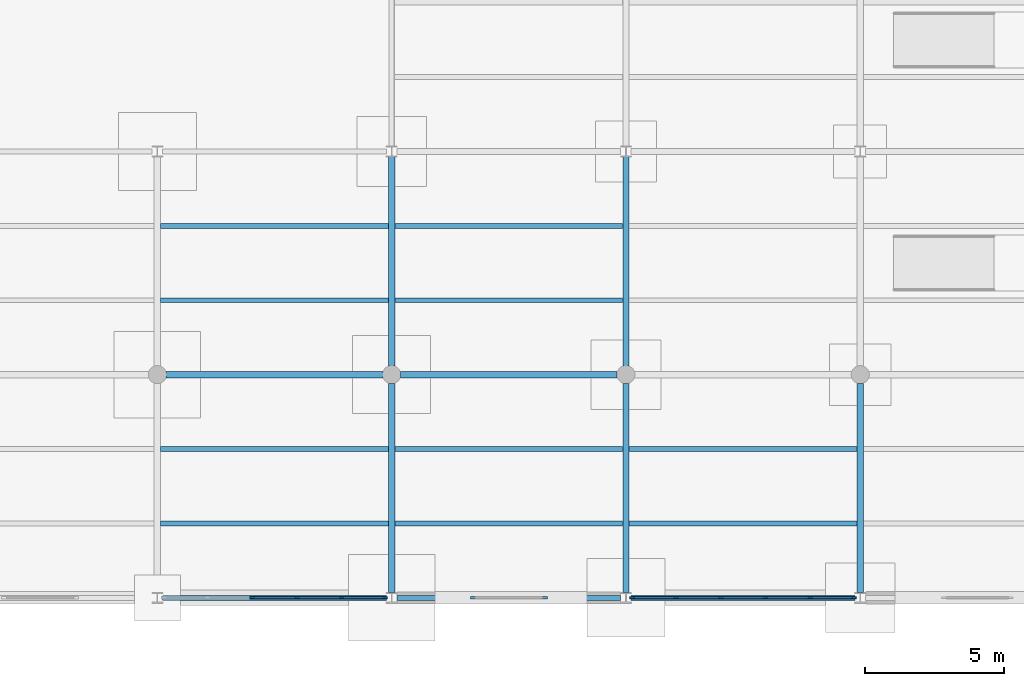
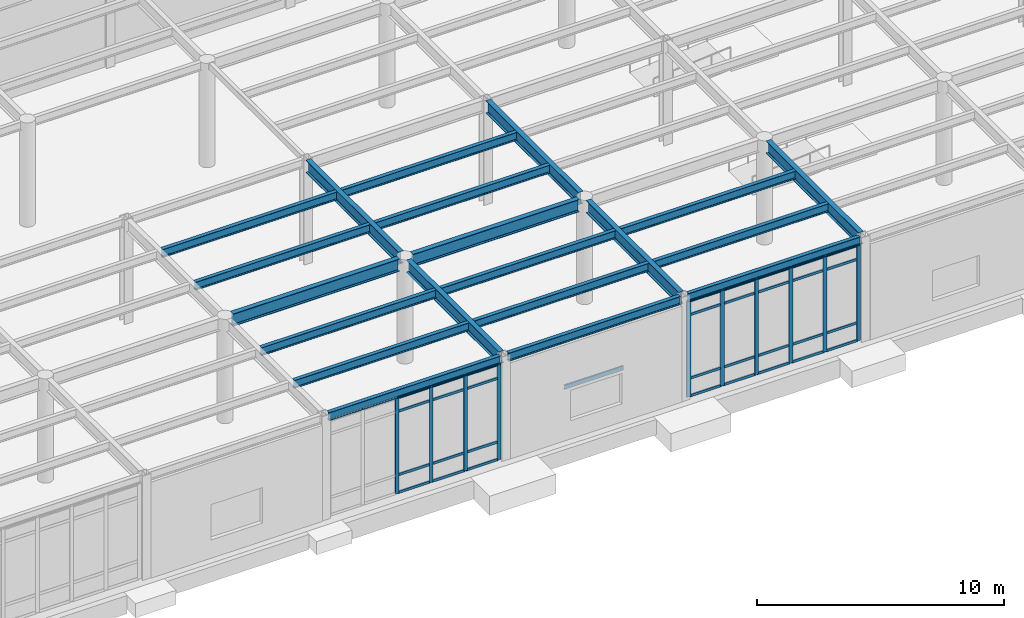
# One storey, part 34 of 138: 42 members, 21 beams, 2 elements without a shape of their own.
"""IFC4 building model written with IfcOpenShell, lengths in metres."""

from ifc_helpers import new_model, si_unit, direction, frame, origin, origin_2d, place, context, subcontext, project, spatial, rectangle, i_section, u_section, extrude, material, layer, layer_set, material_profile, profile_set, type_object, element, aggregate, save


model = new_model("IFC4")

# Units and contexts
model_context = context("Model", 3, precision=1e-05, world=origin(), true_north=direction((0.0, 1.0)))
body_context = subcontext(model_context, "Body", "Model", "MODEL_VIEW")
ifc_project = project(units=[si_unit("LENGTHUNIT", "METRE"), si_unit("AREAUNIT", "SQUARE_METRE"), si_unit("VOLUMEUNIT", "CUBIC_METRE"), si_unit("PLANEANGLEUNIT", "RADIAN"), si_unit("MASSUNIT", "GRAM", prefix="KILO")], contexts=[model_context])

# Site, building, storey
site_placement = place(None, origin())
site = spatial("IfcSite", under=ifc_project, at=site_placement, CompositionType="ELEMENT")
building_placement = place(site_placement, origin())
building = spatial("IfcBuilding", under=site, at=building_placement, Name="Kranzveld Transit Interchange", CompositionType="ELEMENT")
storey_placement = place(building_placement, origin())
storey = spatial("IfcBuildingStorey", under=building, at=storey_placement, Name="L00", CompositionType="ELEMENT", Elevation=0.0)

# Curtain wall, members
ifc_material_1 = material(Name="Bronze-anodised thermally broken aluminium", Category="aluminium")
ifc_layer_1 = layer(ifc_material_1, 0.155029296875)
ifc_layer_set_1 = layer_set([ifc_layer_1], Name="Bronze-anodised thermally broken aluminium")
curtain_wall_type_1 = type_object("IfcCurtainWallType", Name="Operations Courtyard Glazed Screen CW-6", PredefinedType="USERDEFINED", material=ifc_layer_set_1)
curtain_wall_1_placement = place(storey_placement, origin())
curtain_wall_1 = element("IfcCurtainWall", 1, at=curtain_wall_1_placement, inside=storey, type_object=curtain_wall_type_1, Name="L00 Curtain Wall 12/A-13/A", ObjectType="CURTAIN WALL", PredefinedType="USERDEFINED")
ifc_material_2 = material(Name="Bronze-anodised thermally broken aluminium", Category="aluminium")
ifc_material_profile_1 = material_profile(ifc_material_2, rectangle(XDim=0.06494140625, YDim=0.1650390625, at=origin_2d()), Name="ALU MULLION 65x165")
ifc_profile_set_1 = profile_set([ifc_material_profile_1], Name="Bronze-anodised thermally broken aluminium")
member_type_1 = type_object("IfcMemberType", Name="Curtain Wall Mullion 65x165 Alu", PredefinedType="MULLION", material=ifc_profile_set_1)
member_1_placement = place(storey_placement, frame((95.7998046875, 0.0, 0.0), z_axis=(0.0, 0.0, 1.0), x_axis=(0.0, 1.0, 0.0)))
member_1 = element("IfcMember", 2, at=member_1_placement, type_object=member_type_1, Name="CW-6 mullion 3", PredefinedType="MULLION", context=body_context, shape_type="SweptSolid", body=[
    extrude(rectangle(XDim=0.06494140625, YDim=0.1650390625, at=origin_2d()), origin(), (0.0, 0.0, 1.0), 4.740478515625),
])
member_2_placement = place(storey_placement, frame((97.400146484375, 0.0, 0.0), z_axis=(0.0, 0.0, 1.0), x_axis=(0.0, 1.0, 0.0)))
member_2 = element("IfcMember", 3, at=member_2_placement, type_object=member_type_1, Name="CW-6 mullion 4", PredefinedType="MULLION", context=body_context, shape_type="SweptSolid", body=[
    extrude(rectangle(XDim=0.06494140625, YDim=0.1650390625, at=origin_2d()), origin(), (0.0, 0.0, 1.0), 4.740478515625),
])
member_3_placement = place(storey_placement, frame((99.000244140625, 0.0, 0.0), z_axis=(0.0, 0.0, 1.0), x_axis=(0.0, 1.0, 0.0)))
member_3 = element("IfcMember", 4, at=member_3_placement, type_object=member_type_1, Name="CW-6 mullion 5", PredefinedType="MULLION", context=body_context, shape_type="SweptSolid", body=[
    extrude(rectangle(XDim=0.06494140625, YDim=0.1650390625, at=origin_2d()), origin(), (0.0, 0.0, 1.0), 4.740478515625),
])
member_4_placement = place(storey_placement, frame((100.568115234375, 0.0, 0.0), z_axis=(0.0, 0.0, 1.0), x_axis=(0.0, 1.0, 0.0)))
member_4 = element("IfcMember", 5, at=member_4_placement, type_object=member_type_1, Name="CW-6 mullion 6", PredefinedType="MULLION", context=body_context, shape_type="SweptSolid", body=[
    extrude(rectangle(XDim=0.06494140625, YDim=0.1650390625, at=origin_2d()), origin(), (0.0, 0.0, 1.0), 4.740478515625),
])

ifc_material_3 = material(Name="Bronze-anodised thermally broken aluminium", Category="aluminium")
ifc_layer_2 = layer(ifc_material_3, 0.1650390625)
ifc_layer_set_2 = layer_set([ifc_layer_2], Name="Bronze-anodised thermally broken aluminium")
curtain_wall_type_2 = type_object("IfcCurtainWallType", Name="Sunny Court Arcade Curtain Wall CW-2", PredefinedType="USERDEFINED", material=ifc_layer_set_2)
curtain_wall_2_placement = place(storey_placement, origin())
curtain_wall_2 = element("IfcCurtainWall", 6, at=curtain_wall_2_placement, inside=storey, type_object=curtain_wall_type_2, Name="L00 Curtain Wall 14/A-15/A", ObjectType="CURTAIN WALL", PredefinedType="USERDEFINED")
ifc_material_4 = material(Name="Bronze-anodised thermally broken aluminium", Category="aluminium")
ifc_material_profile_2 = material_profile(ifc_material_4, rectangle(XDim=0.06494140625, YDim=0.179931640625, at=origin_2d()), Name="ALU MULLION 65x180")
ifc_profile_set_2 = profile_set([ifc_material_profile_2], Name="Bronze-anodised thermally broken aluminium")
member_type_2 = type_object("IfcMemberType", Name="Curtain Wall Mullion 65x180 Alu", PredefinedType="MULLION", material=ifc_profile_set_2)
member_5_placement = place(storey_placement, frame((109.431884765625, 0.0, 0.0), z_axis=(0.0, 0.0, 1.0), x_axis=(0.0, 1.0, 0.0)))
member_5 = element("IfcMember", 7, at=member_5_placement, type_object=member_type_2, Name="CW-2 mullion 1", PredefinedType="MULLION", context=body_context, shape_type="SweptSolid", body=[
    extrude(rectangle(XDim=0.06494140625, YDim=0.179931640625, at=origin_2d()), origin(), (0.0, 0.0, 1.0), 4.740478515625),
])
member_6_placement = place(storey_placement, frame((110.999755859375, 0.0, 0.0), z_axis=(0.0, 0.0, 1.0), x_axis=(0.0, 1.0, 0.0)))
member_6 = element("IfcMember", 8, at=member_6_placement, type_object=member_type_2, Name="CW-2 mullion 2", PredefinedType="MULLION", context=body_context, shape_type="SweptSolid", body=[
    extrude(rectangle(XDim=0.06494140625, YDim=0.179931640625, at=origin_2d()), origin(), (0.0, 0.0, 1.0), 4.740478515625),
])
member_7_placement = place(storey_placement, frame((112.599853515625, 0.0, 0.0), z_axis=(0.0, 0.0, 1.0), x_axis=(0.0, 1.0, 0.0)))
member_7 = element("IfcMember", 9, at=member_7_placement, type_object=member_type_2, Name="CW-2 mullion 3", PredefinedType="MULLION", context=body_context, shape_type="SweptSolid", body=[
    extrude(rectangle(XDim=0.06494140625, YDim=0.179931640625, at=origin_2d()), origin(), (0.0, 0.0, 1.0), 4.740478515625),
])
member_8_placement = place(storey_placement, frame((114.2001953125, 0.0, 0.0), z_axis=(0.0, 0.0, 1.0), x_axis=(0.0, 1.0, 0.0)))
member_8 = element("IfcMember", 10, at=member_8_placement, type_object=member_type_2, Name="CW-2 mullion 4", PredefinedType="MULLION", context=body_context, shape_type="SweptSolid", body=[
    extrude(rectangle(XDim=0.06494140625, YDim=0.179931640625, at=origin_2d()), origin(), (0.0, 0.0, 1.0), 4.740478515625),
])
member_9_placement = place(storey_placement, frame((115.80029296875, 0.0, 0.0), z_axis=(0.0, 0.0, 1.0), x_axis=(0.0, 1.0, 0.0)))
member_9 = element("IfcMember", 11, at=member_9_placement, type_object=member_type_2, Name="CW-2 mullion 5", PredefinedType="MULLION", context=body_context, shape_type="SweptSolid", body=[
    extrude(rectangle(XDim=0.06494140625, YDim=0.179931640625, at=origin_2d()), origin(), (0.0, 0.0, 1.0), 4.740478515625),
])
member_10_placement = place(storey_placement, frame((117.367919921875, 0.0, 0.0), z_axis=(0.0, 0.0, 1.0), x_axis=(0.0, 1.0, 0.0)))
member_10 = element("IfcMember", 12, at=member_10_placement, type_object=member_type_2, Name="CW-2 mullion 6", PredefinedType="MULLION", context=body_context, shape_type="SweptSolid", body=[
    extrude(rectangle(XDim=0.06494140625, YDim=0.179931640625, at=origin_2d()), origin(), (0.0, 0.0, 1.0), 4.740478515625),
])

# Member
ifc_material_5 = material(Name="Bronze-anodised thermally broken aluminium", Category="aluminium")
ifc_material_profile_3 = material_profile(ifc_material_5, rectangle(XDim=0.06005859375, YDim=0.125, at=origin_2d()), Name="ALU TRANSOM 60x125")
ifc_profile_set_3 = profile_set([ifc_material_profile_3], Name="Bronze-anodised thermally broken aluminium")
member_type_3 = type_object("IfcMemberType", Name="Curtain Wall Transom 60x125 Alu", PredefinedType="USERDEFINED", material=ifc_profile_set_3)
member_11_placement = place(storey_placement, frame((95.83251953125, 0.0, 0.030029296875), z_axis=(1.0, 0.0, 0.0), x_axis=(0.0, 1.0, 0.0)))
member_11 = element("IfcMember", 13, at=member_11_placement, type_object=member_type_3, Name="CW-6 transom 3.1", ObjectType="TRANSOM", PredefinedType="USERDEFINED", context=body_context, shape_type="SweptSolid", body=[
    extrude(rectangle(XDim=0.06005859375, YDim=0.125, at=origin_2d()), origin(), (0.0, 0.0, 1.0), 1.53515625),
])

member_12_placement = place(storey_placement, frame((95.83251953125, 0.0, 0.89990234375), z_axis=(1.0, 0.0, 0.0), x_axis=(0.0, 1.0, 0.0)))
member_12 = element("IfcMember", 14, at=member_12_placement, type_object=member_type_3, Name="CW-6 transom 3.2", ObjectType="TRANSOM", PredefinedType="USERDEFINED", context=body_context, shape_type="SweptSolid", body=[
    extrude(rectangle(XDim=0.06005859375, YDim=0.125, at=origin_2d()), origin(), (0.0, 0.0, 1.0), 1.53515625),
])

member_13_placement = place(storey_placement, frame((95.83251953125, 0.0, 4.04052734375), z_axis=(1.0, 0.0, 0.0), x_axis=(0.0, 1.0, 0.0)))
member_13 = element("IfcMember", 15, at=member_13_placement, type_object=member_type_3, Name="CW-6 transom 3.3", ObjectType="TRANSOM", PredefinedType="USERDEFINED", context=body_context, shape_type="SweptSolid", body=[
    extrude(rectangle(XDim=0.06005859375, YDim=0.125, at=origin_2d()), origin(), (0.0, 0.0, 1.0), 1.53515625),
])

member_14_placement = place(storey_placement, frame((95.83251953125, 0.0, 4.710693359375), z_axis=(1.0, 0.0, 0.0), x_axis=(0.0, 1.0, 0.0)))
member_14 = element("IfcMember", 16, at=member_14_placement, type_object=member_type_3, Name="CW-6 transom 3.4", ObjectType="TRANSOM", PredefinedType="USERDEFINED", context=body_context, shape_type="SweptSolid", body=[
    extrude(rectangle(XDim=0.06005859375, YDim=0.125, at=origin_2d()), origin(), (0.0, 0.0, 1.0), 1.53515625),
])

member_15_placement = place(storey_placement, frame((97.4326171875, 0.0, 0.030029296875), z_axis=(1.0, 0.0, 0.0), x_axis=(0.0, 1.0, 0.0)))
member_15 = element("IfcMember", 17, at=member_15_placement, type_object=member_type_3, Name="CW-6 transom 4.1", ObjectType="TRANSOM", PredefinedType="USERDEFINED", context=body_context, shape_type="SweptSolid", body=[
    extrude(rectangle(XDim=0.06005859375, YDim=0.125, at=origin_2d()), origin(), (0.0, 0.0, 1.0), 1.53515625),
])

member_16_placement = place(storey_placement, frame((97.4326171875, 0.0, 0.89990234375), z_axis=(1.0, 0.0, 0.0), x_axis=(0.0, 1.0, 0.0)))
member_16 = element("IfcMember", 18, at=member_16_placement, type_object=member_type_3, Name="CW-6 transom 4.2", ObjectType="TRANSOM", PredefinedType="USERDEFINED", context=body_context, shape_type="SweptSolid", body=[
    extrude(rectangle(XDim=0.06005859375, YDim=0.125, at=origin_2d()), origin(), (0.0, 0.0, 1.0), 1.53515625),
])

member_17_placement = place(storey_placement, frame((97.4326171875, 0.0, 4.04052734375), z_axis=(1.0, 0.0, 0.0), x_axis=(0.0, 1.0, 0.0)))
member_17 = element("IfcMember", 19, at=member_17_placement, type_object=member_type_3, Name="CW-6 transom 4.3", ObjectType="TRANSOM", PredefinedType="USERDEFINED", context=body_context, shape_type="SweptSolid", body=[
    extrude(rectangle(XDim=0.06005859375, YDim=0.125, at=origin_2d()), origin(), (0.0, 0.0, 1.0), 1.53515625),
])

member_18_placement = place(storey_placement, frame((97.4326171875, 0.0, 4.710693359375), z_axis=(1.0, 0.0, 0.0), x_axis=(0.0, 1.0, 0.0)))
member_18 = element("IfcMember", 20, at=member_18_placement, type_object=member_type_3, Name="CW-6 transom 4.4", ObjectType="TRANSOM", PredefinedType="USERDEFINED", context=body_context, shape_type="SweptSolid", body=[
    extrude(rectangle(XDim=0.06005859375, YDim=0.125, at=origin_2d()), origin(), (0.0, 0.0, 1.0), 1.53515625),
])

member_19_placement = place(storey_placement, frame((99.03271484375, 0.0, 0.030029296875), z_axis=(1.0, 0.0, 0.0), x_axis=(0.0, 1.0, 0.0)))
member_19 = element("IfcMember", 21, at=member_19_placement, type_object=member_type_3, Name="CW-6 transom 5.1", ObjectType="TRANSOM", PredefinedType="USERDEFINED", context=body_context, shape_type="SweptSolid", body=[
    extrude(rectangle(XDim=0.06005859375, YDim=0.125, at=origin_2d()), origin(), (0.0, 0.0, 1.0), 1.502685546875),
])

member_20_placement = place(storey_placement, frame((99.03271484375, 0.0, 0.89990234375), z_axis=(1.0, 0.0, 0.0), x_axis=(0.0, 1.0, 0.0)))
member_20 = element("IfcMember", 22, at=member_20_placement, type_object=member_type_3, Name="CW-6 transom 5.2", ObjectType="TRANSOM", PredefinedType="USERDEFINED", context=body_context, shape_type="SweptSolid", body=[
    extrude(rectangle(XDim=0.06005859375, YDim=0.125, at=origin_2d()), origin(), (0.0, 0.0, 1.0), 1.502685546875),
])

member_21_placement = place(storey_placement, frame((99.03271484375, 0.0, 4.04052734375), z_axis=(1.0, 0.0, 0.0), x_axis=(0.0, 1.0, 0.0)))
member_21 = element("IfcMember", 23, at=member_21_placement, type_object=member_type_3, Name="CW-6 transom 5.3", ObjectType="TRANSOM", PredefinedType="USERDEFINED", context=body_context, shape_type="SweptSolid", body=[
    extrude(rectangle(XDim=0.06005859375, YDim=0.125, at=origin_2d()), origin(), (0.0, 0.0, 1.0), 1.502685546875),
])

member_22_placement = place(storey_placement, frame((99.03271484375, 0.0, 4.710693359375), z_axis=(1.0, 0.0, 0.0), x_axis=(0.0, 1.0, 0.0)))
member_22 = element("IfcMember", 24, at=member_22_placement, type_object=member_type_3, Name="CW-6 transom 5.4", ObjectType="TRANSOM", PredefinedType="USERDEFINED", context=body_context, shape_type="SweptSolid", body=[
    extrude(rectangle(XDim=0.06005859375, YDim=0.125, at=origin_2d()), origin(), (0.0, 0.0, 1.0), 1.502685546875),
])

aggregate(curtain_wall_1, [member_1, member_2, member_3, member_4, member_11, member_12, member_13, member_14, member_15, member_16, member_17, member_18, member_19, member_20, member_21, member_22])

member_23_placement = place(storey_placement, frame((109.464599609375, 0.0, 0.030029296875), z_axis=(1.0, 0.0, 0.0), x_axis=(0.0, 1.0, 0.0)))
member_23 = element("IfcMember", 25, at=member_23_placement, type_object=member_type_3, Name="CW-2 transom 1.1", ObjectType="TRANSOM", PredefinedType="USERDEFINED", context=body_context, shape_type="SweptSolid", body=[
    extrude(rectangle(XDim=0.06005859375, YDim=0.125, at=origin_2d()), origin(), (0.0, 0.0, 1.0), 1.502685546875),
])

member_24_placement = place(storey_placement, frame((109.464599609375, 0.0, 0.89990234375), z_axis=(1.0, 0.0, 0.0), x_axis=(0.0, 1.0, 0.0)))
member_24 = element("IfcMember", 26, at=member_24_placement, type_object=member_type_3, Name="CW-2 transom 1.2", ObjectType="TRANSOM", PredefinedType="USERDEFINED", context=body_context, shape_type="SweptSolid", body=[
    extrude(rectangle(XDim=0.06005859375, YDim=0.125, at=origin_2d()), origin(), (0.0, 0.0, 1.0), 1.502685546875),
])

member_25_placement = place(storey_placement, frame((109.464599609375, 0.0, 4.04052734375), z_axis=(1.0, 0.0, 0.0), x_axis=(0.0, 1.0, 0.0)))
member_25 = element("IfcMember", 27, at=member_25_placement, type_object=member_type_3, Name="CW-2 transom 1.3", ObjectType="TRANSOM", PredefinedType="USERDEFINED", context=body_context, shape_type="SweptSolid", body=[
    extrude(rectangle(XDim=0.06005859375, YDim=0.125, at=origin_2d()), origin(), (0.0, 0.0, 1.0), 1.502685546875),
])

member_26_placement = place(storey_placement, frame((109.464599609375, 0.0, 4.710693359375), z_axis=(1.0, 0.0, 0.0), x_axis=(0.0, 1.0, 0.0)))
member_26 = element("IfcMember", 28, at=member_26_placement, type_object=member_type_3, Name="CW-2 transom 1.4", ObjectType="TRANSOM", PredefinedType="USERDEFINED", context=body_context, shape_type="SweptSolid", body=[
    extrude(rectangle(XDim=0.06005859375, YDim=0.125, at=origin_2d()), origin(), (0.0, 0.0, 1.0), 1.502685546875),
])

member_27_placement = place(storey_placement, frame((111.0322265625, 0.0, 0.030029296875), z_axis=(1.0, 0.0, 0.0), x_axis=(0.0, 1.0, 0.0)))
member_27 = element("IfcMember", 29, at=member_27_placement, type_object=member_type_3, Name="CW-2 transom 2.1", ObjectType="TRANSOM", PredefinedType="USERDEFINED", context=body_context, shape_type="SweptSolid", body=[
    extrude(rectangle(XDim=0.06005859375, YDim=0.125, at=origin_2d()), origin(), (0.0, 0.0, 1.0), 1.53515625),
])

member_28_placement = place(storey_placement, frame((111.0322265625, 0.0, 0.89990234375), z_axis=(1.0, 0.0, 0.0), x_axis=(0.0, 1.0, 0.0)))
member_28 = element("IfcMember", 30, at=member_28_placement, type_object=member_type_3, Name="CW-2 transom 2.2", ObjectType="TRANSOM", PredefinedType="USERDEFINED", context=body_context, shape_type="SweptSolid", body=[
    extrude(rectangle(XDim=0.06005859375, YDim=0.125, at=origin_2d()), origin(), (0.0, 0.0, 1.0), 1.53515625),
])

member_29_placement = place(storey_placement, frame((111.0322265625, 0.0, 4.04052734375), z_axis=(1.0, 0.0, 0.0), x_axis=(0.0, 1.0, 0.0)))
member_29 = element("IfcMember", 31, at=member_29_placement, type_object=member_type_3, Name="CW-2 transom 2.3", ObjectType="TRANSOM", PredefinedType="USERDEFINED", context=body_context, shape_type="SweptSolid", body=[
    extrude(rectangle(XDim=0.06005859375, YDim=0.125, at=origin_2d()), origin(), (0.0, 0.0, 1.0), 1.53515625),
])

member_30_placement = place(storey_placement, frame((111.0322265625, 0.0, 4.710693359375), z_axis=(1.0, 0.0, 0.0), x_axis=(0.0, 1.0, 0.0)))
member_30 = element("IfcMember", 32, at=member_30_placement, type_object=member_type_3, Name="CW-2 transom 2.4", ObjectType="TRANSOM", PredefinedType="USERDEFINED", context=body_context, shape_type="SweptSolid", body=[
    extrude(rectangle(XDim=0.06005859375, YDim=0.125, at=origin_2d()), origin(), (0.0, 0.0, 1.0), 1.53515625),
])

member_31_placement = place(storey_placement, frame((112.63232421875, 0.0, 0.030029296875), z_axis=(1.0, 0.0, 0.0), x_axis=(0.0, 1.0, 0.0)))
member_31 = element("IfcMember", 33, at=member_31_placement, type_object=member_type_3, Name="CW-2 transom 3.1", ObjectType="TRANSOM", PredefinedType="USERDEFINED", context=body_context, shape_type="SweptSolid", body=[
    extrude(rectangle(XDim=0.06005859375, YDim=0.125, at=origin_2d()), origin(), (0.0, 0.0, 1.0), 1.53515625),
])

member_32_placement = place(storey_placement, frame((112.63232421875, 0.0, 0.89990234375), z_axis=(1.0, 0.0, 0.0), x_axis=(0.0, 1.0, 0.0)))
member_32 = element("IfcMember", 34, at=member_32_placement, type_object=member_type_3, Name="CW-2 transom 3.2", ObjectType="TRANSOM", PredefinedType="USERDEFINED", context=body_context, shape_type="SweptSolid", body=[
    extrude(rectangle(XDim=0.06005859375, YDim=0.125, at=origin_2d()), origin(), (0.0, 0.0, 1.0), 1.53515625),
])

member_33_placement = place(storey_placement, frame((112.63232421875, 0.0, 4.04052734375), z_axis=(1.0, 0.0, 0.0), x_axis=(0.0, 1.0, 0.0)))
member_33 = element("IfcMember", 35, at=member_33_placement, type_object=member_type_3, Name="CW-2 transom 3.3", ObjectType="TRANSOM", PredefinedType="USERDEFINED", context=body_context, shape_type="SweptSolid", body=[
    extrude(rectangle(XDim=0.06005859375, YDim=0.125, at=origin_2d()), origin(), (0.0, 0.0, 1.0), 1.53515625),
])

member_34_placement = place(storey_placement, frame((112.63232421875, 0.0, 4.710693359375), z_axis=(1.0, 0.0, 0.0), x_axis=(0.0, 1.0, 0.0)))
member_34 = element("IfcMember", 36, at=member_34_placement, type_object=member_type_3, Name="CW-2 transom 3.4", ObjectType="TRANSOM", PredefinedType="USERDEFINED", context=body_context, shape_type="SweptSolid", body=[
    extrude(rectangle(XDim=0.06005859375, YDim=0.125, at=origin_2d()), origin(), (0.0, 0.0, 1.0), 1.53515625),
])

member_35_placement = place(storey_placement, frame((114.232666015625, 0.0, 0.030029296875), z_axis=(1.0, 0.0, 0.0), x_axis=(0.0, 1.0, 0.0)))
member_35 = element("IfcMember", 37, at=member_35_placement, type_object=member_type_3, Name="CW-2 transom 4.1", ObjectType="TRANSOM", PredefinedType="USERDEFINED", context=body_context, shape_type="SweptSolid", body=[
    extrude(rectangle(XDim=0.06005859375, YDim=0.125, at=origin_2d()), origin(), (0.0, 0.0, 1.0), 1.53515625),
])

member_36_placement = place(storey_placement, frame((114.232666015625, 0.0, 0.89990234375), z_axis=(1.0, 0.0, 0.0), x_axis=(0.0, 1.0, 0.0)))
member_36 = element("IfcMember", 38, at=member_36_placement, type_object=member_type_3, Name="CW-2 transom 4.2", ObjectType="TRANSOM", PredefinedType="USERDEFINED", context=body_context, shape_type="SweptSolid", body=[
    extrude(rectangle(XDim=0.06005859375, YDim=0.125, at=origin_2d()), origin(), (0.0, 0.0, 1.0), 1.53515625),
])

member_37_placement = place(storey_placement, frame((114.232666015625, 0.0, 4.04052734375), z_axis=(1.0, 0.0, 0.0), x_axis=(0.0, 1.0, 0.0)))
member_37 = element("IfcMember", 39, at=member_37_placement, type_object=member_type_3, Name="CW-2 transom 4.3", ObjectType="TRANSOM", PredefinedType="USERDEFINED", context=body_context, shape_type="SweptSolid", body=[
    extrude(rectangle(XDim=0.06005859375, YDim=0.125, at=origin_2d()), origin(), (0.0, 0.0, 1.0), 1.53515625),
])

member_38_placement = place(storey_placement, frame((114.232666015625, 0.0, 4.710693359375), z_axis=(1.0, 0.0, 0.0), x_axis=(0.0, 1.0, 0.0)))
member_38 = element("IfcMember", 40, at=member_38_placement, type_object=member_type_3, Name="CW-2 transom 4.4", ObjectType="TRANSOM", PredefinedType="USERDEFINED", context=body_context, shape_type="SweptSolid", body=[
    extrude(rectangle(XDim=0.06005859375, YDim=0.125, at=origin_2d()), origin(), (0.0, 0.0, 1.0), 1.53515625),
])

member_39_placement = place(storey_placement, frame((115.832763671875, 0.0, 0.030029296875), z_axis=(1.0, 0.0, 0.0), x_axis=(0.0, 1.0, 0.0)))
member_39 = element("IfcMember", 41, at=member_39_placement, type_object=member_type_3, Name="CW-2 transom 5.1", ObjectType="TRANSOM", PredefinedType="USERDEFINED", context=body_context, shape_type="SweptSolid", body=[
    extrude(rectangle(XDim=0.06005859375, YDim=0.125, at=origin_2d()), origin(), (0.0, 0.0, 1.0), 1.502685546875),
])

member_40_placement = place(storey_placement, frame((115.832763671875, 0.0, 0.89990234375), z_axis=(1.0, 0.0, 0.0), x_axis=(0.0, 1.0, 0.0)))
member_40 = element("IfcMember", 42, at=member_40_placement, type_object=member_type_3, Name="CW-2 transom 5.2", ObjectType="TRANSOM", PredefinedType="USERDEFINED", context=body_context, shape_type="SweptSolid", body=[
    extrude(rectangle(XDim=0.06005859375, YDim=0.125, at=origin_2d()), origin(), (0.0, 0.0, 1.0), 1.502685546875),
])

member_41_placement = place(storey_placement, frame((115.832763671875, 0.0, 4.04052734375), z_axis=(1.0, 0.0, 0.0), x_axis=(0.0, 1.0, 0.0)))
member_41 = element("IfcMember", 43, at=member_41_placement, type_object=member_type_3, Name="CW-2 transom 5.3", ObjectType="TRANSOM", PredefinedType="USERDEFINED", context=body_context, shape_type="SweptSolid", body=[
    extrude(rectangle(XDim=0.06005859375, YDim=0.125, at=origin_2d()), origin(), (0.0, 0.0, 1.0), 1.502685546875),
])

member_42_placement = place(storey_placement, frame((115.832763671875, 0.0, 4.710693359375), z_axis=(1.0, 0.0, 0.0), x_axis=(0.0, 1.0, 0.0)))
member_42 = element("IfcMember", 44, at=member_42_placement, type_object=member_type_3, Name="CW-2 transom 5.4", ObjectType="TRANSOM", PredefinedType="USERDEFINED", context=body_context, shape_type="SweptSolid", body=[
    extrude(rectangle(XDim=0.06005859375, YDim=0.125, at=origin_2d()), origin(), (0.0, 0.0, 1.0), 1.502685546875),
])

aggregate(curtain_wall_2, [member_5, member_6, member_7, member_8, member_9, member_10, member_23, member_24, member_25, member_26, member_27, member_28, member_29, member_30, member_31, member_32, member_33, member_34, member_35, member_36, member_37, member_38, member_39, member_40, member_41, member_42])

# Beams
ifc_material_6 = material(Name="Steel S355JR", Category="steel")
ifc_material_profile_4 = material_profile(ifc_material_6, i_section(OverallWidth=0.1787109375, OverallDepth=0.409423828125, WebThickness=0.0087890625, FlangeThickness=0.014404296875, FilletRadius=0.01025390625, at=origin_2d()), Name="UB 406x178x67")
ifc_profile_set_4 = profile_set([ifc_material_profile_4], Name="Steel S355JR")
beam_type_1 = type_object("IfcBeamType", Name="Facade Spandrel UB 406x178x67 S355JR", PredefinedType="SPANDREL", material=ifc_profile_set_4)
for number, where, z_axis, x_axis, name in (
    (45, (92.589599609375, 0.0, 4.9453125), (1.0, 0.0, 0.0), (0.0, 1.0, 0.0), "L00 Girder 12-13/A"),
    (46, (100.989501953125, 0.0, 4.9453125), (1.0, 0.0, 0.0), (0.0, 1.0, 0.0), "L00 Girder 13-14/A"),
    (47, (109.389404296875, 0.0, 4.9453125), (1.0, 0.0, 0.0), (0.0, 1.0, 0.0), "L00 Girder 14-15/A"),
):
    element("IfcBeam", number, at=place(storey_placement, frame(where, z_axis=z_axis, x_axis=x_axis)), inside=storey, type_object=beam_type_1, Name=name, PredefinedType="SPANDREL", context=body_context, shape_type="SweptSolid", body=[
        extrude(i_section(OverallWidth=0.1787109375, OverallDepth=0.409423828125, WebThickness=0.0087890625, FlangeThickness=0.014404296875, FilletRadius=0.01025390625, at=origin_2d()), origin(), (0.0, 0.0, 1.0), 8.02099609375),
    ])
ifc_material_7 = material(Name="Steel S355JR", Category="steel")
ifc_material_profile_5 = material_profile(ifc_material_7, i_section(OverallWidth=0.177734375, OverallDepth=0.402587890625, WebThickness=0.0078125, FlangeThickness=0.010986328125, FilletRadius=0.01025390625, at=origin_2d()), Name="UB 406x178x54")
ifc_profile_set_5 = profile_set([ifc_material_profile_5], Name="Steel S355JR")
beam_type_2 = type_object("IfcBeamType", Name="Floor Joist UB 406x178x54 S355JR", PredefinedType="JOIST", material=ifc_profile_set_5)
for number, where, z_axis, x_axis, name in (
    (48, (92.51611328125, 2.666748046875, 4.94873046875), (1.0, 0.0, 0.0), (0.0, 1.0, 0.0), "L00 Secondary Joist 12-13/A.1"),
    (49, (92.51611328125, 5.333251953125, 4.94873046875), (1.0, 0.0, 0.0), (0.0, 1.0, 0.0), "L00 Secondary Joist 12-13/A.2"),
    (50, (92.51611328125, 10.666748046875, 4.94873046875), (1.0, 0.0, 0.0), (0.0, 1.0, 0.0), "L00 Secondary Joist 12-13/B.1"),
    (51, (92.51611328125, 13.333251953125, 4.94873046875), (1.0, 0.0, 0.0), (0.0, 1.0, 0.0), "L00 Secondary Joist 12-13/B.2"),
):
    element("IfcBeam", number, at=place(storey_placement, frame(where, z_axis=z_axis, x_axis=x_axis)), inside=storey, type_object=beam_type_2, Name=name, PredefinedType="JOIST", context=body_context, shape_type="SweptSolid", body=[
        extrude(i_section(OverallWidth=0.177734375, OverallDepth=0.402587890625, WebThickness=0.0078125, FlangeThickness=0.010986328125, FilletRadius=0.01025390625, at=origin_2d()), origin(), (0.0, 0.0, 1.0), 8.167724609375),
    ])
for number, where, z_axis, x_axis, name in (
    (52, (100.916015625, 2.666748046875, 4.94873046875), (1.0, 0.0, 0.0), (0.0, 1.0, 0.0), "L00 Secondary Joist 13-14/A.1"),
    (53, (100.916015625, 5.333251953125, 4.94873046875), (1.0, 0.0, 0.0), (0.0, 1.0, 0.0), "L00 Secondary Joist 13-14/A.2"),
    (54, (100.916015625, 10.666748046875, 4.94873046875), (1.0, 0.0, 0.0), (0.0, 1.0, 0.0), "L00 Secondary Joist 13-14/B.1"),
    (55, (100.916015625, 13.333251953125, 4.94873046875), (1.0, 0.0, 0.0), (0.0, 1.0, 0.0), "L00 Secondary Joist 13-14/B.2"),
):
    element("IfcBeam", number, at=place(storey_placement, frame(where, z_axis=z_axis, x_axis=x_axis)), inside=storey, type_object=beam_type_2, Name=name, PredefinedType="JOIST", context=body_context, shape_type="SweptSolid", body=[
        extrude(i_section(OverallWidth=0.177734375, OverallDepth=0.402587890625, WebThickness=0.0078125, FlangeThickness=0.010986328125, FilletRadius=0.01025390625, at=origin_2d()), origin(), (0.0, 0.0, 1.0), 8.16796875),
    ])
for number, where, z_axis, x_axis, name in (
    (56, (109.316162109375, 2.666748046875, 4.94873046875), (1.0, 0.0, 0.0), (0.0, 1.0, 0.0), "L00 Secondary Joist 14-15/A.1"),
    (57, (109.316162109375, 5.333251953125, 4.94873046875), (1.0, 0.0, 0.0), (0.0, 1.0, 0.0), "L00 Secondary Joist 14-15/A.2"),
):
    element("IfcBeam", number, at=place(storey_placement, frame(where, z_axis=z_axis, x_axis=x_axis)), inside=storey, type_object=beam_type_2, Name=name, PredefinedType="JOIST", context=body_context, shape_type="SweptSolid", body=[
        extrude(i_section(OverallWidth=0.177734375, OverallDepth=0.402587890625, WebThickness=0.0078125, FlangeThickness=0.010986328125, FilletRadius=0.01025390625, at=origin_2d()), origin(), (0.0, 0.0, 1.0), 8.167724609375),
    ])
ifc_material_8 = material(Name="Steel S355JR", Category="steel")
ifc_material_profile_6 = material_profile(ifc_material_8, i_section(OverallWidth=0.228271484375, OverallDepth=0.607666015625, WebThickness=0.010986328125, FlangeThickness=0.017333984375, FilletRadius=0.0126953125, at=origin_2d()), Name="UB 610x229x113")
ifc_profile_set_6 = profile_set([ifc_material_profile_6], Name="Steel S355JR")
beam_type_3 = type_object("IfcBeamType", Name="Girder Steel UB 610x229x113 S355JR", PredefinedType="BEAM", material=ifc_profile_set_6)
for number, where, z_axis, x_axis, name in (
    (58, (100.800048828125, 0.186767578125, 4.84619140625), (0.0, 1.0, 0.0), (-1.0, 0.0, 0.0), "L00 Girder 13/A-B"),
    (59, (100.800048828125, 8.31494140625, 4.84619140625), (0.0, 1.0, 0.0), (-1.0, 0.0, 0.0), "L00 Girder 13/B-C"),
    (60, (109.199951171875, 0.186767578125, 4.84619140625), (0.0, 1.0, 0.0), (-1.0, 0.0, 0.0), "L00 Girder 14/A-B"),
    (61, (109.199951171875, 8.31494140625, 4.84619140625), (0.0, 1.0, 0.0), (-1.0, 0.0, 0.0), "L00 Girder 14/B-C"),
    (62, (117.60009765625, 0.186767578125, 4.84619140625), (0.0, 1.0, 0.0), (-1.0, 0.0, 0.0), "L00 Girder 15/A-B"),
):
    element("IfcBeam", number, at=place(storey_placement, frame(where, z_axis=z_axis, x_axis=x_axis)), inside=storey, type_object=beam_type_3, Name=name, PredefinedType="BEAM", context=body_context, shape_type="SweptSolid", body=[
        extrude(i_section(OverallWidth=0.228271484375, OverallDepth=0.607666015625, WebThickness=0.010986328125, FlangeThickness=0.017333984375, FilletRadius=0.0126953125, at=origin_2d()), origin(), (0.0, 0.0, 1.0), 7.498291015625),
    ])
ifc_material_9 = material(Name="Steel S355JR", Category="steel")
ifc_material_profile_7 = material_profile(ifc_material_9, i_section(OverallWidth=0.230224609375, OverallDepth=0.6171875, WebThickness=0.01318359375, FlangeThickness=0.022216796875, FilletRadius=0.0126953125, at=origin_2d()), Name="UB 610x229x140")
ifc_profile_set_7 = profile_set([ifc_material_profile_7], Name="Steel S355JR")
beam_type_4 = type_object("IfcBeamType", Name="Girder Steel UB 610x229x140 S355JR", PredefinedType="BEAM", material=ifc_profile_set_7)
for number, where, z_axis, x_axis, name in (
    (63, (92.715087890625, 8.0, 4.84130859375), (1.0, 0.0, 0.0), (0.0, 1.0, 0.0), "L00 Girder 12-13/B"),
    (64, (101.114990234375, 8.0, 4.84130859375), (1.0, 0.0, 0.0), (0.0, 1.0, 0.0), "L00 Girder 13-14/B"),
):
    element("IfcBeam", number, at=place(storey_placement, frame(where, z_axis=z_axis, x_axis=x_axis)), inside=storey, type_object=beam_type_4, Name=name, PredefinedType="BEAM", context=body_context, shape_type="SweptSolid", body=[
        extrude(i_section(OverallWidth=0.230224609375, OverallDepth=0.6171875, WebThickness=0.01318359375, FlangeThickness=0.022216796875, FilletRadius=0.0126953125, at=origin_2d()), origin(), (0.0, 0.0, 1.0), 7.77001953125),
    ])
ifc_material_10 = material(Name="Steel S355JR", Category="steel")
ifc_material_profile_8 = material_profile(ifc_material_10, u_section(Depth=0.199951171875, FlangeWidth=0.074951171875, WebThickness=0.006103515625, FlangeThickness=0.012451171875, FilletRadius=0.011962890625, at=origin_2d()), Name="PFC 200x75x23")
ifc_profile_set_8 = profile_set([ifc_material_profile_8], Name="Steel S355JR")
beam_type_5 = type_object("IfcBeamType", Name="Masonry Lintel PFC 200x75x23 S355JR", PredefinedType="LINTEL", material=ifc_profile_set_8)
beam_placement = place(storey_placement, frame((103.6201171875, 0.0, 2.5048828125), z_axis=(1.0, 0.0, 0.0), x_axis=(0.0, 1.0, 0.0)))
element("IfcBeam", 65, at=beam_placement, inside=storey, type_object=beam_type_5, Name="L00 Window Lintel 048", PredefinedType="LINTEL", context=body_context, shape_type="SweptSolid", body=[
    extrude(u_section(Depth=0.199951171875, FlangeWidth=0.074951171875, WebThickness=0.006103515625, FlangeThickness=0.012451171875, FilletRadius=0.011962890625, at=origin_2d()), origin(), (0.0, 0.0, 1.0), 2.759765625),
])

save(model, "model.ifc")
